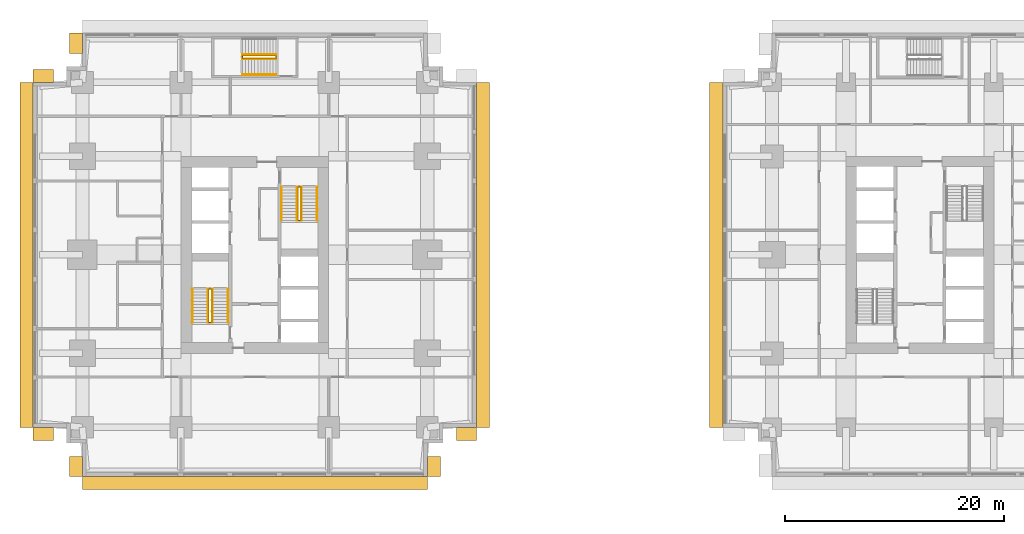
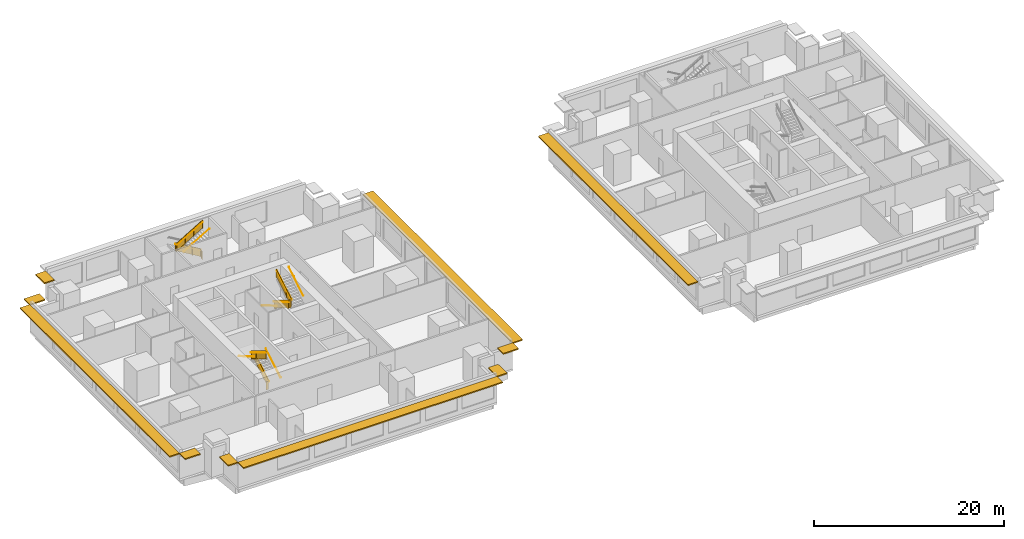
# One storey, part 9 of 11: 14 railings, 10 shading devices.
"""IFC4 building model written with IfcOpenShell, lengths in metres."""

from ifc_helpers import new_model, si_unit, direction, frame, origin, origin_2d, place, context, subcontext, project, spatial, polyline, rectangle, circle, outline, extrude, material, layer, layer_set, type_object, element, save


model = new_model("IFC4")

# Units and contexts
model_context = context("Model", 3, precision=1e-05, world=origin(), true_north=direction((0.0, 1.0)))
body_context = subcontext(model_context, "Body", "Model", "MODEL_VIEW")
ifc_project = project(units=[si_unit("LENGTHUNIT", "METRE"), si_unit("AREAUNIT", "SQUARE_METRE"), si_unit("VOLUMEUNIT", "CUBIC_METRE"), si_unit("PLANEANGLEUNIT", "RADIAN"), si_unit("MASSUNIT", "GRAM", prefix="KILO")], contexts=[model_context])

# Site, building, storey
site_placement = place(None, origin())
site = spatial("IfcSite", under=ifc_project, at=site_placement, CompositionType="ELEMENT")
building_placement = place(site_placement, origin())
building = spatial("IfcBuilding", under=site, at=building_placement, Name="Namib Vertical Campus", CompositionType="ELEMENT")
storey_placement = place(building_placement, frame((0.0, 0.0, 57.0)))
storey = spatial("IfcBuildingStorey", under=building, at=storey_placement, Name="L13", CompositionType="ELEMENT", Elevation=57.0)

# Railings
ifc_material_1 = material(Name="Steel handrail", Category="steel")
railing_type_1 = type_object("IfcRailingType", Name="Handrail 900", PredefinedType="HANDRAIL", material=ifc_material_1)
railing_1_placement = place(storey_placement, frame((17.800048828125, 14.050048828125, 0.166748046875)))
element("IfcRailing", 1, at=railing_1_placement, inside=storey, type_object=railing_type_1, Name="Handrail HR1 A-S1 L13 1", PredefinedType="HANDRAIL", context=body_context, shape_type="SweptSolid", body=[
    extrude(circle(Radius=0.02392578125, at=origin_2d()), frame((0.0, 0.0, 0.8759765625), z_axis=(0.0, 0.859290745958, 0.51148745235), x_axis=(-1.0, 0.0, 0.0)), (0.0, 0.0, 1.0), 3.584228515625),
    extrude(circle(Radius=0.008056640625, at=origin_2d()), frame((0.0, 0.0, 0.8759765625), z_axis=(1.0, 0.0, 0.0), x_axis=(0.0, 0.0, 1.0)), (0.0, 0.0, 1.0), 0.050048828125),
    extrude(circle(Radius=0.008056640625, at=origin_2d()), frame((0.0, 1.026611328125, 1.48681640625), z_axis=(1.0, 0.0, 0.0), x_axis=(0.0, 0.0, 1.0)), (0.0, 0.0, 1.0), 0.050048828125),
    extrude(circle(Radius=0.008056640625, at=origin_2d()), frame((0.0, 2.05322265625, 2.09814453125), z_axis=(1.0, 0.0, 0.0), x_axis=(0.0, 0.0, 1.0)), (0.0, 0.0, 1.0), 0.050048828125),
    extrude(circle(Radius=0.008056640625, at=origin_2d()), frame((0.0, 3.079833984375, 2.708984375), z_axis=(1.0, 0.0, 0.0), x_axis=(0.0, 0.0, 1.0)), (0.0, 0.0, 1.0), 0.050048828125),
])
railing_2_placement = place(storey_placement, frame((14.550048828125, 17.1298828125, 2.166748046875)))
element("IfcRailing", 2, at=railing_2_placement, inside=storey, type_object=railing_type_1, Name="Handrail HR1 A-S1 L13 2", PredefinedType="HANDRAIL", context=body_context, shape_type="SweptSolid", body=[
    extrude(circle(Radius=0.02392578125, at=origin_2d()), frame((0.0, 0.0, 0.8759765625), z_axis=(0.0, -0.859290745958, 0.51148745235), x_axis=(1.0, 0.0, 0.0)), (0.0, 0.0, 1.0), 3.584228515625),
    extrude(circle(Radius=0.008056640625, at=origin_2d()), frame((0.0, 0.0, 0.8759765625), z_axis=(-1.0, 0.0, 0.0), x_axis=(0.0, 0.0, 1.0)), (0.0, 0.0, 1.0), 0.050048828125),
    extrude(circle(Radius=0.008056640625, at=origin_2d()), frame((0.0, -1.026611328125, 1.48681640625), z_axis=(-1.0, 0.0, 0.0), x_axis=(0.0, 0.0, 1.0)), (0.0, 0.0, 1.0), 0.050048828125),
    extrude(circle(Radius=0.008056640625, at=origin_2d()), frame((0.0, -2.05322265625, 2.09814453125), z_axis=(-1.0, 0.0, 0.0), x_axis=(0.0, 0.0, 1.0)), (0.0, 0.0, 1.0), 0.050048828125),
    extrude(circle(Radius=0.008056640625, at=origin_2d()), frame((0.0, -3.079833984375, 2.708984375), z_axis=(-1.0, 0.0, 0.0), x_axis=(0.0, 0.0, 1.0)), (0.0, 0.0, 1.0), 0.050048828125),
])
railing_3_placement = place(storey_placement, frame((16.375, 14.050048828125, 0.166748046875)))
element("IfcRailing", 3, at=railing_3_placement, inside=storey, type_object=railing_type_1, Name="Handrail HR1 A-S1 L13 1 at the well", PredefinedType="HANDRAIL", context=body_context, shape_type="SweptSolid", body=[
    extrude(circle(Radius=0.02392578125, at=origin_2d()), frame((0.0, 0.0, 0.8759765625), z_axis=(0.0, 0.859290745958, 0.51148745235), x_axis=(-1.0, 0.0, 0.0)), (0.0, 0.0, 1.0), 3.584228515625),
    extrude(circle(Radius=0.008056640625, at=origin_2d()), frame((0.0, 0.0, 0.8759765625), z_axis=(-1.0, 0.0, 0.0), x_axis=(0.0, 0.0, 1.0)), (0.0, 0.0, 1.0), 0.0400390625),
    extrude(circle(Radius=0.008056640625, at=origin_2d()), frame((0.0, 1.026611328125, 1.48681640625), z_axis=(-1.0, 0.0, 0.0), x_axis=(0.0, 0.0, 1.0)), (0.0, 0.0, 1.0), 0.0400390625),
    extrude(circle(Radius=0.008056640625, at=origin_2d()), frame((0.0, 2.05322265625, 2.09814453125), z_axis=(-1.0, 0.0, 0.0), x_axis=(0.0, 0.0, 1.0)), (0.0, 0.0, 1.0), 0.0400390625),
    extrude(circle(Radius=0.008056640625, at=origin_2d()), frame((0.0, 3.079833984375, 2.708984375), z_axis=(-1.0, 0.0, 0.0), x_axis=(0.0, 0.0, 1.0)), (0.0, 0.0, 1.0), 0.0400390625),
])
railing_4_placement = place(storey_placement, frame((15.97509765625, 17.1298828125, 2.166748046875)))
element("IfcRailing", 4, at=railing_4_placement, inside=storey, type_object=railing_type_1, Name="Handrail HR1 A-S1 L13 2 at the well", PredefinedType="HANDRAIL", context=body_context, shape_type="SweptSolid", body=[
    extrude(circle(Radius=0.02392578125, at=origin_2d()), frame((0.0, 0.0, 0.8759765625), z_axis=(0.0, -0.859290745958, 0.51148745235), x_axis=(1.0, 0.0, 0.0)), (0.0, 0.0, 1.0), 3.584228515625),
    extrude(circle(Radius=0.008056640625, at=origin_2d()), frame((0.0, 0.0, 0.8759765625), z_axis=(1.0, 0.0, 0.0), x_axis=(0.0, 0.0, 1.0)), (0.0, 0.0, 1.0), 0.0400390625),
    extrude(circle(Radius=0.008056640625, at=origin_2d()), frame((0.0, -1.026611328125, 1.48681640625), z_axis=(1.0, 0.0, 0.0), x_axis=(0.0, 0.0, 1.0)), (0.0, 0.0, 1.0), 0.0400390625),
    extrude(circle(Radius=0.008056640625, at=origin_2d()), frame((0.0, -2.05322265625, 2.09814453125), z_axis=(1.0, 0.0, 0.0), x_axis=(0.0, 0.0, 1.0)), (0.0, 0.0, 1.0), 0.0400390625),
    extrude(circle(Radius=0.008056640625, at=origin_2d()), frame((0.0, -3.079833984375, 2.708984375), z_axis=(1.0, 0.0, 0.0), x_axis=(0.0, 0.0, 1.0)), (0.0, 0.0, 1.0), 0.0400390625),
])
railing_5_placement = place(storey_placement, frame((22.699951171875, 26.449951171875, 0.166748046875)))
element("IfcRailing", 5, at=railing_5_placement, inside=storey, type_object=railing_type_1, Name="Handrail HR1 A-S2 L13 1", PredefinedType="HANDRAIL", context=body_context, shape_type="SweptSolid", body=[
    extrude(circle(Radius=0.02392578125, at=origin_2d()), frame((0.0, 0.0, 0.8759765625), z_axis=(0.0, -0.859290745958, 0.51148745235), x_axis=(1.0, 0.0, 0.0)), (0.0, 0.0, 1.0), 3.584228515625),
    extrude(circle(Radius=0.008056640625, at=origin_2d()), frame((0.0, 0.0, 0.8759765625), z_axis=(-1.0, 0.0, 0.0), x_axis=(0.0, 0.0, 1.0)), (0.0, 0.0, 1.0), 0.050048828125),
    extrude(circle(Radius=0.008056640625, at=origin_2d()), frame((0.0, -1.026611328125, 1.48681640625), z_axis=(-1.0, 0.0, 0.0), x_axis=(0.0, 0.0, 1.0)), (0.0, 0.0, 1.0), 0.050048828125),
    extrude(circle(Radius=0.008056640625, at=origin_2d()), frame((0.0, -2.05322265625, 2.09814453125), z_axis=(-1.0, 0.0, 0.0), x_axis=(0.0, 0.0, 1.0)), (0.0, 0.0, 1.0), 0.050048828125),
    extrude(circle(Radius=0.008056640625, at=origin_2d()), frame((0.0, -3.079833984375, 2.708984375), z_axis=(-1.0, 0.0, 0.0), x_axis=(0.0, 0.0, 1.0)), (0.0, 0.0, 1.0), 0.050048828125),
])
railing_6_placement = place(storey_placement, frame((25.949951171875, 23.3701171875, 2.166748046875)))
element("IfcRailing", 6, at=railing_6_placement, inside=storey, type_object=railing_type_1, Name="Handrail HR1 A-S2 L13 2", PredefinedType="HANDRAIL", context=body_context, shape_type="SweptSolid", body=[
    extrude(circle(Radius=0.02392578125, at=origin_2d()), frame((0.0, 0.0, 0.8759765625), z_axis=(0.0, 0.859290745958, 0.51148745235), x_axis=(-1.0, 0.0, 0.0)), (0.0, 0.0, 1.0), 3.584228515625),
    extrude(circle(Radius=0.008056640625, at=origin_2d()), frame((0.0, 0.0, 0.8759765625), z_axis=(1.0, 0.0, 0.0), x_axis=(0.0, 0.0, 1.0)), (0.0, 0.0, 1.0), 0.050048828125),
    extrude(circle(Radius=0.008056640625, at=origin_2d()), frame((0.0, 1.026611328125, 1.48681640625), z_axis=(1.0, 0.0, 0.0), x_axis=(0.0, 0.0, 1.0)), (0.0, 0.0, 1.0), 0.050048828125),
    extrude(circle(Radius=0.008056640625, at=origin_2d()), frame((0.0, 2.05322265625, 2.09814453125), z_axis=(1.0, 0.0, 0.0), x_axis=(0.0, 0.0, 1.0)), (0.0, 0.0, 1.0), 0.050048828125),
    extrude(circle(Radius=0.008056640625, at=origin_2d()), frame((0.0, 3.079833984375, 2.708984375), z_axis=(1.0, 0.0, 0.0), x_axis=(0.0, 0.0, 1.0)), (0.0, 0.0, 1.0), 0.050048828125),
])
railing_7_placement = place(storey_placement, frame((24.125, 26.449951171875, 0.166748046875)))
element("IfcRailing", 7, at=railing_7_placement, inside=storey, type_object=railing_type_1, Name="Handrail HR1 A-S2 L13 1 at the well", PredefinedType="HANDRAIL", context=body_context, shape_type="SweptSolid", body=[
    extrude(circle(Radius=0.02392578125, at=origin_2d()), frame((0.0, 0.0, 0.8759765625), z_axis=(0.0, -0.859290745958, 0.51148745235), x_axis=(1.0, 0.0, 0.0)), (0.0, 0.0, 1.0), 3.584228515625),
    extrude(circle(Radius=0.008056640625, at=origin_2d()), frame((0.0, 0.0, 0.8759765625), z_axis=(1.0, 0.0, 0.0), x_axis=(0.0, 0.0, 1.0)), (0.0, 0.0, 1.0), 0.0400390625),
    extrude(circle(Radius=0.008056640625, at=origin_2d()), frame((0.0, -1.026611328125, 1.48681640625), z_axis=(1.0, 0.0, 0.0), x_axis=(0.0, 0.0, 1.0)), (0.0, 0.0, 1.0), 0.0400390625),
    extrude(circle(Radius=0.008056640625, at=origin_2d()), frame((0.0, -2.05322265625, 2.09814453125), z_axis=(1.0, 0.0, 0.0), x_axis=(0.0, 0.0, 1.0)), (0.0, 0.0, 1.0), 0.0400390625),
    extrude(circle(Radius=0.008056640625, at=origin_2d()), frame((0.0, -3.079833984375, 2.708984375), z_axis=(1.0, 0.0, 0.0), x_axis=(0.0, 0.0, 1.0)), (0.0, 0.0, 1.0), 0.0400390625),
])
railing_8_placement = place(storey_placement, frame((24.52490234375, 23.3701171875, 2.166748046875)))
element("IfcRailing", 8, at=railing_8_placement, inside=storey, type_object=railing_type_1, Name="Handrail HR1 A-S2 L13 2 at the well", PredefinedType="HANDRAIL", context=body_context, shape_type="SweptSolid", body=[
    extrude(circle(Radius=0.02392578125, at=origin_2d()), frame((0.0, 0.0, 0.8759765625), z_axis=(0.0, 0.859290745958, 0.51148745235), x_axis=(-1.0, 0.0, 0.0)), (0.0, 0.0, 1.0), 3.584228515625),
    extrude(circle(Radius=0.008056640625, at=origin_2d()), frame((0.0, 0.0, 0.8759765625), z_axis=(-1.0, 0.0, 0.0), x_axis=(0.0, 0.0, 1.0)), (0.0, 0.0, 1.0), 0.0400390625),
    extrude(circle(Radius=0.008056640625, at=origin_2d()), frame((0.0, 1.026611328125, 1.48681640625), z_axis=(-1.0, 0.0, 0.0), x_axis=(0.0, 0.0, 1.0)), (0.0, 0.0, 1.0), 0.0400390625),
    extrude(circle(Radius=0.008056640625, at=origin_2d()), frame((0.0, 2.05322265625, 2.09814453125), z_axis=(-1.0, 0.0, 0.0), x_axis=(0.0, 0.0, 1.0)), (0.0, 0.0, 1.0), 0.0400390625),
    extrude(circle(Radius=0.008056640625, at=origin_2d()), frame((0.0, 3.079833984375, 2.708984375), z_axis=(-1.0, 0.0, 0.0), x_axis=(0.0, 0.0, 1.0)), (0.0, 0.0, 1.0), 0.0400390625),
])
railing_9_placement = place(storey_placement, frame((19.1201171875, 36.699951171875, 2.166748046875)))
element("IfcRailing", 9, at=railing_9_placement, inside=storey, type_object=railing_type_1, Name="Handrail HR1 A-S3 L13 2", PredefinedType="HANDRAIL", context=body_context, shape_type="SweptSolid", body=[
    extrude(circle(Radius=0.02392578125, at=origin_2d()), frame((0.0, 0.0, 0.8759765625), z_axis=(0.859290745958, 0.0, 0.51148745235), x_axis=(0.0, 1.0, 0.0)), (0.0, 0.0, 1.0), 3.584228515625),
    extrude(circle(Radius=0.008056640625, at=origin_2d()), frame((0.0, 0.0, 0.8759765625), z_axis=(0.0, -1.0, 0.0), x_axis=(0.0, 0.0, 1.0)), (0.0, 0.0, 1.0), 0.050048828125),
    extrude(circle(Radius=0.008056640625, at=origin_2d()), frame((1.026611328125, 0.0, 1.48681640625), z_axis=(0.0, -1.0, 0.0), x_axis=(0.0, 0.0, 1.0)), (0.0, 0.0, 1.0), 0.050048828125),
    extrude(circle(Radius=0.008056640625, at=origin_2d()), frame((2.05322265625, 0.0, 2.09814453125), z_axis=(0.0, -1.0, 0.0), x_axis=(0.0, 0.0, 1.0)), (0.0, 0.0, 1.0), 0.050048828125),
    extrude(circle(Radius=0.008056640625, at=origin_2d()), frame((3.079833984375, 0.0, 2.708984375), z_axis=(0.0, -1.0, 0.0), x_axis=(0.0, 0.0, 1.0)), (0.0, 0.0, 1.0), 0.050048828125),
])
railing_10_placement = place(storey_placement, frame((22.199951171875, 38.52490234375, 0.166748046875)))
element("IfcRailing", 10, at=railing_10_placement, inside=storey, type_object=railing_type_1, Name="Handrail HR1 A-S3 L13 1 at the well", PredefinedType="HANDRAIL", context=body_context, shape_type="SweptSolid", body=[
    extrude(circle(Radius=0.02392578125, at=origin_2d()), frame((0.0, 0.0, 0.8759765625), z_axis=(-0.859290745958, 0.0, 0.51148745235), x_axis=(0.0, -1.0, 0.0)), (0.0, 0.0, 1.0), 3.584228515625),
    extrude(circle(Radius=0.008056640625, at=origin_2d()), frame((0.0, 0.0, 0.8759765625), z_axis=(0.0, -1.0, 0.0), x_axis=(0.0, 0.0, 1.0)), (0.0, 0.0, 1.0), 0.0400390625),
    extrude(circle(Radius=0.008056640625, at=origin_2d()), frame((-1.026611328125, 0.0, 1.48681640625), z_axis=(0.0, -1.0, 0.0), x_axis=(0.0, 0.0, 1.0)), (0.0, 0.0, 1.0), 0.0400390625),
    extrude(circle(Radius=0.008056640625, at=origin_2d()), frame((-2.05322265625, 0.0, 2.09814453125), z_axis=(0.0, -1.0, 0.0), x_axis=(0.0, 0.0, 1.0)), (0.0, 0.0, 1.0), 0.0400390625),
    extrude(circle(Radius=0.008056640625, at=origin_2d()), frame((-3.079833984375, 0.0, 2.708984375), z_axis=(0.0, -1.0, 0.0), x_axis=(0.0, 0.0, 1.0)), (0.0, 0.0, 1.0), 0.0400390625),
])
railing_11_placement = place(storey_placement, frame((19.1201171875, 38.125, 2.166748046875)))
element("IfcRailing", 11, at=railing_11_placement, inside=storey, type_object=railing_type_1, Name="Handrail HR1 A-S3 L13 2 at the well", PredefinedType="HANDRAIL", context=body_context, shape_type="SweptSolid", body=[
    extrude(circle(Radius=0.02392578125, at=origin_2d()), frame((0.0, 0.0, 0.8759765625), z_axis=(0.859290745958, 0.0, 0.51148745235), x_axis=(0.0, 1.0, 0.0)), (0.0, 0.0, 1.0), 3.584228515625),
    extrude(circle(Radius=0.008056640625, at=origin_2d()), frame((0.0, 0.0, 0.8759765625), z_axis=(0.0, 1.0, 0.0), x_axis=(0.0, 0.0, 1.0)), (0.0, 0.0, 1.0), 0.0400390625),
    extrude(circle(Radius=0.008056640625, at=origin_2d()), frame((1.026611328125, 0.0, 1.48681640625), z_axis=(0.0, 1.0, 0.0), x_axis=(0.0, 0.0, 1.0)), (0.0, 0.0, 1.0), 0.0400390625),
    extrude(circle(Radius=0.008056640625, at=origin_2d()), frame((2.05322265625, 0.0, 2.09814453125), z_axis=(0.0, 1.0, 0.0), x_axis=(0.0, 0.0, 1.0)), (0.0, 0.0, 1.0), 0.0400390625),
    extrude(circle(Radius=0.008056640625, at=origin_2d()), frame((3.079833984375, 0.0, 2.708984375), z_axis=(0.0, 1.0, 0.0), x_axis=(0.0, 0.0, 1.0)), (0.0, 0.0, 1.0), 0.0400390625),
])
ifc_material_2 = material(Name="Steel balustrade", Category="steel")
railing_type_2 = type_object("IfcRailingType", Name="Stair guard 1100", PredefinedType="GUARDRAIL", material=ifc_material_2)
railing_12_placement = place(storey_placement, frame((16.02490234375, 14.050048828125, 0.0)))
element("IfcRailing", 12, at=railing_12_placement, inside=storey, type_object=railing_type_2, Name="Stair guard GR1 A-S1 L13", PredefinedType="GUARDRAIL", context=body_context, shape_type="SweptSolid", body=[
    extrude(circle(Radius=0.02392578125, at=origin_2d()), frame((0.0, 0.0, 1.076171875), z_axis=(1.0, 0.0, 0.0), x_axis=(0.0, 1.0, 0.0)), (0.0, 0.0, 1.0), 0.300048828125),
    extrude(outline(polyline([(0.02099609375, 0.050048828125), (0.279052734375, 0.050048828125), (0.279052734375, 1.052001953125), (0.02099609375, 1.052001953125), (0.02099609375, 0.050048828125)])), frame((0.0, 0.010009765625, 0.0), z_axis=(0.0, -1.0, 0.0), x_axis=(1.0, 0.0, 0.0)), (0.0, 0.0, 1.0), 0.02001953125),
    extrude(circle(Radius=0.02392578125, at=origin_2d()), frame((0.300048828125, 0.0, 1.076171875), z_axis=(0.0, 0.0, 1.0), x_axis=(1.0, 0.0, 0.0)), (0.0, 0.0, 1.0), 0.166748046875),
    extrude(circle(Radius=0.02392578125, at=origin_2d()), frame((0.300048828125, 0.0, 1.24267578125), z_axis=(0.0, 0.859290745958, 0.51148745235), x_axis=(-1.0, 0.0, 0.0)), (0.0, 0.0, 1.0), 3.584228515625),
    extrude(outline(polyline([(0.02099609375, 0.0625), (3.058837890625, 1.870849609375), (3.058837890625, 2.872802734375), (0.02099609375, 1.064453125), (0.02099609375, 0.0625)])), frame((0.2900390625, 0.0, 0.166748046875), z_axis=(1.0, 0.0, 0.0), x_axis=(0.0, 1.0, 0.0)), (0.0, 0.0, 1.0), 0.02001953125),
    extrude(circle(Radius=0.02392578125, at=origin_2d()), frame((0.300048828125, 3.079833984375, 3.076171875), z_axis=(-1.0, 0.0, 0.0), x_axis=(0.0, -1.0, 0.0)), (0.0, 0.0, 1.0), 0.300048828125),
    extrude(outline(polyline([(0.02099609375, 0.050048828125), (0.279052734375, 0.050048828125), (0.279052734375, 1.052001953125), (0.02099609375, 1.052001953125), (0.02099609375, 0.050048828125)])), frame((0.300048828125, 3.06982421875, 2.0), z_axis=(0.0, 1.0, 0.0), x_axis=(-1.0, 0.0, 0.0)), (0.0, 0.0, 1.0), 0.02001953125),
    extrude(circle(Radius=0.02392578125, at=origin_2d()), frame((0.0, 3.079833984375, 3.076171875), z_axis=(0.0, 0.0, 1.0), x_axis=(1.0, 0.0, 0.0)), (0.0, 0.0, 1.0), 0.166748046875),
    extrude(circle(Radius=0.02392578125, at=origin_2d()), frame((0.0, 3.079833984375, 3.24267578125), z_axis=(0.0, -0.859290745958, 0.51148745235), x_axis=(1.0, 0.0, 0.0)), (0.0, 0.0, 1.0), 3.584228515625),
    extrude(outline(polyline([(0.02099609375, 0.0625), (3.058837890625, 1.870849609375), (3.058837890625, 2.872802734375), (0.02099609375, 1.064453125), (0.02099609375, 0.0625)])), frame((0.010009765625, 3.079833984375, 2.166748046875), z_axis=(-1.0, 0.0, 0.0), x_axis=(0.0, -1.0, 0.0)), (0.0, 0.0, 1.0), 0.02001953125),
    extrude(circle(Radius=0.02392578125, at=origin_2d()), frame((0.0, 0.0, 5.076171875), z_axis=(0.0, -1.0, 0.0), x_axis=(1.0, 0.0, 0.0)), (0.0, 0.0, 1.0), 0.050048828125),
    extrude(outline(polyline([(0.02099609375, 0.050048828125), (0.029052734375, 0.050048828125), (0.029052734375, 1.052001953125), (0.02099609375, 1.052001953125), (0.02099609375, 0.050048828125)])), frame((0.010009765625, 0.0, 4.0), z_axis=(-1.0, 0.0, 0.0), x_axis=(0.0, -1.0, 0.0)), (0.0, 0.0, 1.0), 0.02001953125),
    extrude(circle(Radius=0.02099609375, at=origin_2d()), origin(), (0.0, 0.0, 1.0), 1.052001953125),
    extrude(circle(Radius=0.02099609375, at=origin_2d()), frame((0.300048828125, 0.0, 0.166748046875)), (0.0, 0.0, 1.0), 1.052001953125),
    extrude(circle(Radius=0.02099609375, at=origin_2d()), frame((0.300048828125, 1.026611328125, 0.666748046875)), (0.0, 0.0, 1.0), 1.1630859375),
    extrude(circle(Radius=0.02099609375, at=origin_2d()), frame((0.300048828125, 2.05322265625, 1.33349609375)), (0.0, 0.0, 1.0), 1.107421875),
    extrude(circle(Radius=0.02099609375, at=origin_2d()), frame((0.300048828125, 3.079833984375, 2.0)), (0.0, 0.0, 1.0), 1.052001953125),
    extrude(circle(Radius=0.02099609375, at=origin_2d()), frame((0.0, 3.079833984375, 2.166748046875)), (0.0, 0.0, 1.0), 1.052001953125),
    extrude(circle(Radius=0.02099609375, at=origin_2d()), frame((0.0, 2.05322265625, 2.666748046875)), (0.0, 0.0, 1.0), 1.1630859375),
    extrude(circle(Radius=0.02099609375, at=origin_2d()), frame((0.0, 1.026611328125, 3.33349609375)), (0.0, 0.0, 1.0), 1.107421875),
    extrude(circle(Radius=0.02099609375, at=origin_2d()), frame((0.0, 0.0, 4.0)), (0.0, 0.0, 1.0), 1.052001953125),
    extrude(circle(Radius=0.02099609375, at=origin_2d()), frame((0.0, -0.050048828125, 4.0)), (0.0, 0.0, 1.0), 1.052001953125),
])
railing_13_placement = place(storey_placement, frame((24.47509765625, 26.449951171875, 0.0)))
element("IfcRailing", 13, at=railing_13_placement, inside=storey, type_object=railing_type_2, Name="Stair guard GR1 A-S2 L13", PredefinedType="GUARDRAIL", context=body_context, shape_type="SweptSolid", body=[
    extrude(circle(Radius=0.02392578125, at=origin_2d()), frame((0.0, 0.0, 1.076171875), z_axis=(-1.0, 0.0, 0.0), x_axis=(0.0, -1.0, 0.0)), (0.0, 0.0, 1.0), 0.300048828125),
    extrude(outline(polyline([(0.02099609375, 0.050048828125), (0.279052734375, 0.050048828125), (0.279052734375, 1.052001953125), (0.02099609375, 1.052001953125), (0.02099609375, 0.050048828125)])), frame((0.0, -0.010009765625, 0.0), z_axis=(0.0, 1.0, 0.0), x_axis=(-1.0, 0.0, 0.0)), (0.0, 0.0, 1.0), 0.02001953125),
    extrude(circle(Radius=0.02392578125, at=origin_2d()), frame((-0.300048828125, 0.0, 1.076171875), z_axis=(0.0, 0.0, 1.0), x_axis=(1.0, 0.0, 0.0)), (0.0, 0.0, 1.0), 0.166748046875),
    extrude(circle(Radius=0.02392578125, at=origin_2d()), frame((-0.300048828125, 0.0, 1.24267578125), z_axis=(0.0, -0.859290745958, 0.51148745235), x_axis=(1.0, 0.0, 0.0)), (0.0, 0.0, 1.0), 3.584228515625),
    extrude(outline(polyline([(0.02099609375, 0.0625), (3.058837890625, 1.870849609375), (3.058837890625, 2.872802734375), (0.02099609375, 1.064453125), (0.02099609375, 0.0625)])), frame((-0.2900390625, 0.0, 0.166748046875), z_axis=(-1.0, 0.0, 0.0), x_axis=(0.0, -1.0, 0.0)), (0.0, 0.0, 1.0), 0.02001953125),
    extrude(circle(Radius=0.02392578125, at=origin_2d()), frame((-0.300048828125, -3.079833984375, 3.076171875), z_axis=(1.0, 0.0, 0.0), x_axis=(0.0, 1.0, 0.0)), (0.0, 0.0, 1.0), 0.300048828125),
    extrude(outline(polyline([(0.02099609375, 0.050048828125), (0.279052734375, 0.050048828125), (0.279052734375, 1.052001953125), (0.02099609375, 1.052001953125), (0.02099609375, 0.050048828125)])), frame((-0.300048828125, -3.06982421875, 2.0), z_axis=(0.0, -1.0, 0.0), x_axis=(1.0, 0.0, 0.0)), (0.0, 0.0, 1.0), 0.02001953125),
    extrude(circle(Radius=0.02392578125, at=origin_2d()), frame((0.0, -3.079833984375, 3.076171875), z_axis=(0.0, 0.0, 1.0), x_axis=(1.0, 0.0, 0.0)), (0.0, 0.0, 1.0), 0.166748046875),
    extrude(circle(Radius=0.02392578125, at=origin_2d()), frame((0.0, -3.079833984375, 3.24267578125), z_axis=(0.0, 0.859290745958, 0.51148745235), x_axis=(-1.0, 0.0, 0.0)), (0.0, 0.0, 1.0), 3.584228515625),
    extrude(outline(polyline([(0.02099609375, 0.0625), (3.058837890625, 1.870849609375), (3.058837890625, 2.872802734375), (0.02099609375, 1.064453125), (0.02099609375, 0.0625)])), frame((-0.010009765625, -3.079833984375, 2.166748046875), z_axis=(1.0, 0.0, 0.0), x_axis=(0.0, 1.0, 0.0)), (0.0, 0.0, 1.0), 0.02001953125),
    extrude(circle(Radius=0.02392578125, at=origin_2d()), frame((0.0, 0.0, 5.076171875), z_axis=(0.0, 1.0, 0.0), x_axis=(-1.0, 0.0, 0.0)), (0.0, 0.0, 1.0), 0.050048828125),
    extrude(outline(polyline([(0.02099609375, 0.050048828125), (0.029052734375, 0.050048828125), (0.029052734375, 1.052001953125), (0.02099609375, 1.052001953125), (0.02099609375, 0.050048828125)])), frame((-0.010009765625, 0.0, 4.0), z_axis=(1.0, 0.0, 0.0), x_axis=(0.0, 1.0, 0.0)), (0.0, 0.0, 1.0), 0.02001953125),
    extrude(circle(Radius=0.02099609375, at=origin_2d()), origin(), (0.0, 0.0, 1.0), 1.052001953125),
    extrude(circle(Radius=0.02099609375, at=origin_2d()), frame((-0.300048828125, 0.0, 0.166748046875)), (0.0, 0.0, 1.0), 1.052001953125),
    extrude(circle(Radius=0.02099609375, at=origin_2d()), frame((-0.300048828125, -1.026611328125, 0.666748046875)), (0.0, 0.0, 1.0), 1.1630859375),
    extrude(circle(Radius=0.02099609375, at=origin_2d()), frame((-0.300048828125, -2.05322265625, 1.33349609375)), (0.0, 0.0, 1.0), 1.107421875),
    extrude(circle(Radius=0.02099609375, at=origin_2d()), frame((-0.300048828125, -3.079833984375, 2.0)), (0.0, 0.0, 1.0), 1.052001953125),
    extrude(circle(Radius=0.02099609375, at=origin_2d()), frame((0.0, -3.079833984375, 2.166748046875)), (0.0, 0.0, 1.0), 1.052001953125),
    extrude(circle(Radius=0.02099609375, at=origin_2d()), frame((0.0, -2.05322265625, 2.666748046875)), (0.0, 0.0, 1.0), 1.1630859375),
    extrude(circle(Radius=0.02099609375, at=origin_2d()), frame((0.0, -1.026611328125, 3.33349609375)), (0.0, 0.0, 1.0), 1.107421875),
    extrude(circle(Radius=0.02099609375, at=origin_2d()), frame((0.0, 0.0, 4.0)), (0.0, 0.0, 1.0), 1.052001953125),
    extrude(circle(Radius=0.02099609375, at=origin_2d()), frame((0.0, 0.050048828125, 4.0)), (0.0, 0.0, 1.0), 1.052001953125),
])
railing_14_placement = place(storey_placement, frame((22.199951171875, 38.175048828125, 0.0)))
element("IfcRailing", 14, at=railing_14_placement, inside=storey, type_object=railing_type_2, Name="Stair guard GR1 A-S3 L13", PredefinedType="GUARDRAIL", context=body_context, shape_type="SweptSolid", body=[
    extrude(circle(Radius=0.02392578125, at=origin_2d()), frame((0.0, 0.0, 1.076171875), z_axis=(0.0, 1.0, 0.0), x_axis=(-1.0, 0.0, 0.0)), (0.0, 0.0, 1.0), 0.300048828125),
    extrude(outline(polyline([(0.02099609375, 0.050048828125), (0.279052734375, 0.050048828125), (0.279052734375, 1.052001953125), (0.02099609375, 1.052001953125), (0.02099609375, 0.050048828125)])), frame((-0.010009765625, 0.0, 0.0), z_axis=(1.0, 0.0, 0.0), x_axis=(0.0, 1.0, 0.0)), (0.0, 0.0, 1.0), 0.02001953125),
    extrude(circle(Radius=0.02392578125, at=origin_2d()), frame((0.0, 0.300048828125, 1.076171875), z_axis=(0.0, 0.0, 1.0), x_axis=(1.0, 0.0, 0.0)), (0.0, 0.0, 1.0), 0.166748046875),
    extrude(circle(Radius=0.02392578125, at=origin_2d()), frame((0.0, 0.300048828125, 1.24267578125), z_axis=(-0.859290745958, 0.0, 0.51148745235), x_axis=(0.0, -1.0, 0.0)), (0.0, 0.0, 1.0), 3.584228515625),
    extrude(outline(polyline([(0.02099609375, 0.0625), (3.058837890625, 1.870849609375), (3.058837890625, 2.872802734375), (0.02099609375, 1.064453125), (0.02099609375, 0.0625)])), frame((0.0, 0.2900390625, 0.166748046875), z_axis=(0.0, 1.0, 0.0), x_axis=(-1.0, 0.0, 0.0)), (0.0, 0.0, 1.0), 0.02001953125),
    extrude(circle(Radius=0.02392578125, at=origin_2d()), frame((-3.079833984375, 0.300048828125, 3.076171875), z_axis=(0.0, -1.0, 0.0), x_axis=(1.0, 0.0, 0.0)), (0.0, 0.0, 1.0), 0.300048828125),
    extrude(outline(polyline([(0.02099609375, 0.050048828125), (0.279052734375, 0.050048828125), (0.279052734375, 1.052001953125), (0.02099609375, 1.052001953125), (0.02099609375, 0.050048828125)])), frame((-3.06982421875, 0.300048828125, 2.0), z_axis=(-1.0, 0.0, 0.0), x_axis=(0.0, -1.0, 0.0)), (0.0, 0.0, 1.0), 0.02001953125),
    extrude(circle(Radius=0.02392578125, at=origin_2d()), frame((-3.079833984375, 0.0, 3.076171875), z_axis=(0.0, 0.0, 1.0), x_axis=(1.0, 0.0, 0.0)), (0.0, 0.0, 1.0), 0.166748046875),
    extrude(circle(Radius=0.02392578125, at=origin_2d()), frame((-3.079833984375, 0.0, 3.24267578125), z_axis=(0.859290745958, 0.0, 0.51148745235), x_axis=(0.0, 1.0, 0.0)), (0.0, 0.0, 1.0), 3.584228515625),
    extrude(outline(polyline([(0.02099609375, 0.0625), (3.058837890625, 1.870849609375), (3.058837890625, 2.872802734375), (0.02099609375, 1.064453125), (0.02099609375, 0.0625)])), frame((-3.079833984375, 0.010009765625, 2.166748046875), z_axis=(0.0, -1.0, 0.0), x_axis=(1.0, 0.0, 0.0)), (0.0, 0.0, 1.0), 0.02001953125),
    extrude(circle(Radius=0.02392578125, at=origin_2d()), frame((0.0, 0.0, 5.076171875), z_axis=(1.0, 0.0, 0.0), x_axis=(0.0, 1.0, 0.0)), (0.0, 0.0, 1.0), 0.050048828125),
    extrude(outline(polyline([(0.02099609375, 0.050048828125), (0.029052734375, 0.050048828125), (0.029052734375, 1.052001953125), (0.02099609375, 1.052001953125), (0.02099609375, 0.050048828125)])), frame((0.0, 0.010009765625, 4.0), z_axis=(0.0, -1.0, 0.0), x_axis=(1.0, 0.0, 0.0)), (0.0, 0.0, 1.0), 0.02001953125),
    extrude(circle(Radius=0.02099609375, at=origin_2d()), origin(), (0.0, 0.0, 1.0), 1.052001953125),
    extrude(circle(Radius=0.02099609375, at=origin_2d()), frame((0.0, 0.300048828125, 0.166748046875)), (0.0, 0.0, 1.0), 1.052001953125),
    extrude(circle(Radius=0.02099609375, at=origin_2d()), frame((-1.026611328125, 0.300048828125, 0.666748046875)), (0.0, 0.0, 1.0), 1.1630859375),
    extrude(circle(Radius=0.02099609375, at=origin_2d()), frame((-2.05322265625, 0.300048828125, 1.33349609375)), (0.0, 0.0, 1.0), 1.107421875),
    extrude(circle(Radius=0.02099609375, at=origin_2d()), frame((-3.079833984375, 0.300048828125, 2.0)), (0.0, 0.0, 1.0), 1.052001953125),
    extrude(circle(Radius=0.02099609375, at=origin_2d()), frame((-3.079833984375, 0.0, 2.166748046875)), (0.0, 0.0, 1.0), 1.052001953125),
    extrude(circle(Radius=0.02099609375, at=origin_2d()), frame((-2.05322265625, 0.0, 2.666748046875)), (0.0, 0.0, 1.0), 1.1630859375),
    extrude(circle(Radius=0.02099609375, at=origin_2d()), frame((-1.026611328125, 0.0, 3.33349609375)), (0.0, 0.0, 1.0), 1.107421875),
    extrude(circle(Radius=0.02099609375, at=origin_2d()), frame((0.0, 0.0, 4.0)), (0.0, 0.0, 1.0), 1.052001953125),
    extrude(circle(Radius=0.02099609375, at=origin_2d()), frame((0.050048828125, 0.0, 4.0)), (0.0, 0.0, 1.0), 1.052001953125),
])

# Shading devices
ifc_material_3 = material(Name="Concrete C40/50 precast", Category="concrete")
ifc_layer = layer(ifc_material_3, 0.14990234375)
ifc_layer_set = layer_set([ifc_layer], Name="Concrete C40/50 precast")
shading_device_type = type_object("IfcShadingDeviceType", Name="Sunshade hood 1200", PredefinedType="SHUTTER", material=ifc_layer_set)
shading_device_1_placement = place(storey_placement, frame((20.25, -0.60009765625, 3.199951171875), z_axis=(0.0, 0.0, 1.0), x_axis=(1.0, 0.0, 0.0)))
element("IfcShadingDevice", 15, at=shading_device_1_placement, inside=storey, type_object=shading_device_type, Name="Sunshade SH2 L13 1", PredefinedType="SHUTTER", context=body_context, shape_type="SweptSolid", body=[
    extrude(rectangle(XDim=31.5, YDim=1.199951171875, at=origin_2d()), origin(), (0.0, 0.0, 1.0), 0.14990234375),
])
for number, where, z_axis, x_axis, name in (
    (16, (36.60009765625, 0.925048828125, 3.199951171875), (0.0, 0.0, 1.0), (0.0, 1.0, 0.0), "Sunshade SH2 L13 2"),
    (17, (39.574951171875, 3.89990234375, 3.199951171875), (0.0, 0.0, 1.0), (1.0, 0.0, 0.0), "Sunshade SH2 L13 5"),
):
    element("IfcShadingDevice", number, at=place(storey_placement, frame(where, z_axis=z_axis, x_axis=x_axis)), inside=storey, type_object=shading_device_type, Name=name, PredefinedType="SHUTTER", context=body_context, shape_type="SweptSolid", body=[
        extrude(rectangle(XDim=1.85009765625, YDim=1.199951171875, at=origin_2d()), origin(), (0.0, 0.0, 1.0), 0.14990234375),
    ])
shading_device_2_placement = place(storey_placement, frame((41.10009765625, 20.25, 3.199951171875), z_axis=(0.0, 0.0, 1.0), x_axis=(0.0, 1.0, 0.0)))
element("IfcShadingDevice", 18, at=shading_device_2_placement, inside=storey, type_object=shading_device_type, Name="Sunshade SH2 L13 6", PredefinedType="SHUTTER", context=body_context, shape_type="SweptSolid", body=[
    extrude(rectangle(XDim=31.5, YDim=1.199951171875, at=origin_2d()), origin(), (0.0, 0.0, 1.0), 0.14990234375),
])
for number, where, z_axis, x_axis, name in (
    (19, (3.89990234375, 39.574951171875, 3.199951171875), (0.0, 0.0, 1.0), (0.0, -1.0, 0.0), "Sunshade SH2 L13 12"),
    (20, (0.925048828125, 36.60009765625, 3.199951171875), (0.0, 0.0, 1.0), (-1.0, 0.0, 0.0), "Sunshade SH2 L13 15"),
):
    element("IfcShadingDevice", number, at=place(storey_placement, frame(where, z_axis=z_axis, x_axis=x_axis)), inside=storey, type_object=shading_device_type, Name=name, PredefinedType="SHUTTER", context=body_context, shape_type="SweptSolid", body=[
        extrude(rectangle(XDim=1.85009765625, YDim=1.199951171875, at=origin_2d()), origin(), (0.0, 0.0, 1.0), 0.14990234375),
    ])
shading_device_3_placement = place(storey_placement, frame((-0.60009765625, 20.25, 3.199951171875), z_axis=(0.0, 0.0, 1.0), x_axis=(0.0, -1.0, 0.0)))
element("IfcShadingDevice", 21, at=shading_device_3_placement, inside=storey, type_object=shading_device_type, Name="Sunshade SH2 L13 16", PredefinedType="SHUTTER", context=body_context, shape_type="SweptSolid", body=[
    extrude(rectangle(XDim=31.5, YDim=1.199951171875, at=origin_2d()), origin(), (0.0, 0.0, 1.0), 0.14990234375),
])
for number, where, z_axis, x_axis, name in (
    (22, (0.925048828125, 3.89990234375, 3.199951171875), (0.0, 0.0, 1.0), (1.0, 0.0, 0.0), "Sunshade SH2 L13 17"),
    (23, (3.89990234375, 0.925048828125, 3.199951171875), (0.0, 0.0, 1.0), (0.0, -1.0, 0.0), "Sunshade SH2 L13 20"),
):
    element("IfcShadingDevice", number, at=place(storey_placement, frame(where, z_axis=z_axis, x_axis=x_axis)), inside=storey, type_object=shading_device_type, Name=name, PredefinedType="SHUTTER", context=body_context, shape_type="SweptSolid", body=[
        extrude(rectangle(XDim=1.85009765625, YDim=1.199951171875, at=origin_2d()), origin(), (0.0, 0.0, 1.0), 0.14990234375),
    ])
shading_device_4_placement = place(storey_placement, frame((62.39990234375, 20.25, 3.199951171875), z_axis=(0.0, 0.0, 1.0), x_axis=(0.0, -1.0, 0.0)))
element("IfcShadingDevice", 24, at=shading_device_4_placement, inside=storey, type_object=shading_device_type, Name="Sunshade SH2 L13 16", PredefinedType="SHUTTER", context=body_context, shape_type="SweptSolid", body=[
    extrude(rectangle(XDim=31.5, YDim=1.199951171875, at=origin_2d()), origin(), (0.0, 0.0, 1.0), 0.14990234375),
])

save(model, "model.ifc")
